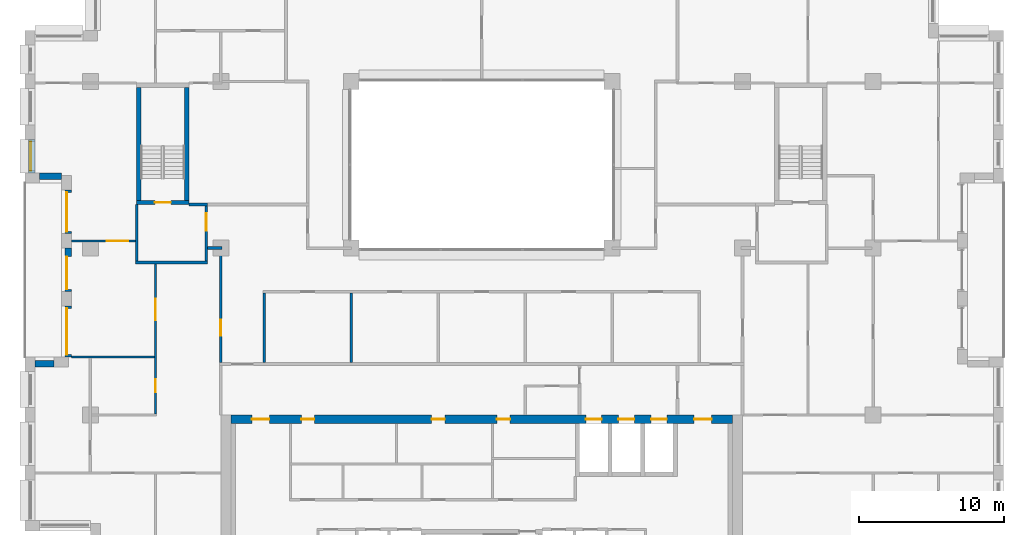
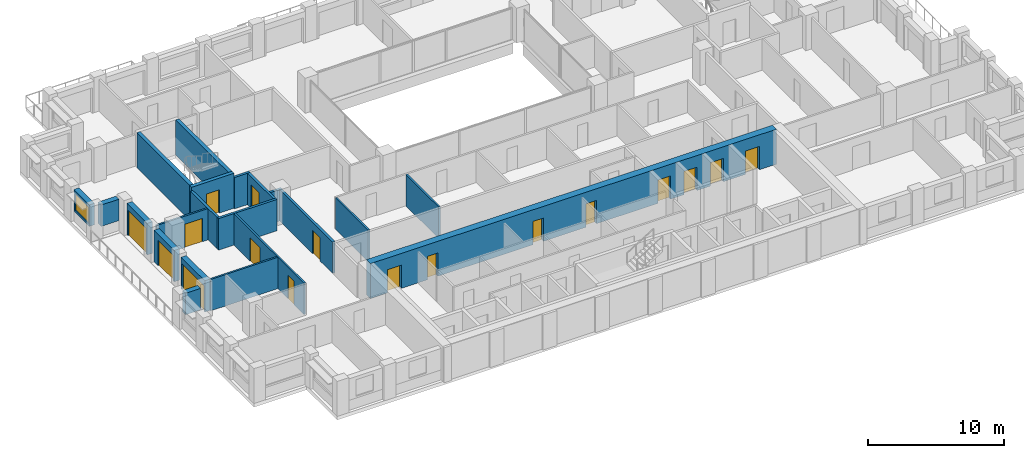
# One storey, part 9 of 16: 21 walls, 17 doors, 1 window, 18 openings.
"""IFC4 building model written with IfcOpenShell, lengths in metres."""

from ifc_helpers import new_model, si_unit, direction, frame, frame_2d, origin, place, context, subcontext, project, spatial, rectangle, extrude, material, layer, layer_set, type_object, element, fill, save


model = new_model("IFC4")

# Units and contexts
model_context = context("Model", 3, precision=1e-05, world=origin(), true_north=direction((0.0, 1.0)))
body_context = subcontext(model_context, "Body", "Model", "MODEL_VIEW")
ifc_project = project(units=[si_unit("LENGTHUNIT", "METRE"), si_unit("AREAUNIT", "SQUARE_METRE"), si_unit("VOLUMEUNIT", "CUBIC_METRE"), si_unit("PLANEANGLEUNIT", "RADIAN"), si_unit("MASSUNIT", "GRAM", prefix="KILO")], contexts=[model_context])

# Site, building, storey
site_placement = place(None, origin())
site = spatial("IfcSite", under=ifc_project, at=site_placement, CompositionType="ELEMENT")
building_placement = place(site_placement, origin())
building = spatial("IfcBuilding", under=site, at=building_placement, Name="Brigalow Station Residences", CompositionType="ELEMENT")
storey_placement = place(building_placement, frame((0.0, 0.0, 163.35009765625)))
storey = spatial("IfcBuildingStorey", under=building, at=storey_placement, Name="L47", CompositionType="ELEMENT", Elevation=163.35009765625)

# Wall, opening, window
ifc_material_1 = material(Name="Clay brick masonry", Category="masonry")
ifc_layer_1 = layer(ifc_material_1, 0.449951171875)
ifc_layer_set_1 = layer_set([ifc_layer_1], Name="BRICK INFILL WALL 450")
wall_type_1 = type_object("IfcWallType", Name="BRICK INFILL WALL 450", PredefinedType="SOLIDWALL", material=ifc_layer_set_1)
wall_1_placement = place(storey_placement, frame((4.97509765625, 31.5, 0.89990234375), z_axis=(0.0, 0.0, 1.0), x_axis=(0.0, -1.0, 0.0)))
wall_1 = element("IfcWall", 1, at=wall_1_placement, inside=storey, type_object=wall_type_1, Name="L47/ewall/W-L47-39", PredefinedType="SOLIDWALL", context=body_context, shape_type="SweptSolid", body=[
    extrude(rectangle(XDim=2.300048828125, YDim=0.449951171875, at=frame_2d((1.14990234375, 0.0))), origin(), (0.0, 0.0, 1.0), 1.929931640625),
])
opening_1_placement = place(wall_1_placement, frame((0.14990234375, 0.0, 0.14990234375)))
opening_1 = element("IfcOpeningElement", 2, at=opening_1_placement, cuts=wall_1, Name="Opening WT-7", PredefinedType="OPENING", context=body_context, shape_type="SweptSolid", body=[
    extrude(rectangle(XDim=2.0, YDim=1.5, at=frame_2d((1.0, 0.75))), frame((0.0, 0.23486328125, 0.0), z_axis=(0.0, -1.0, 0.0), x_axis=(1.0, 0.0, 0.0)), (0.0, 0.0, 1.0), 0.469970703125),
])
ifc_material_2 = material(Name="Anodised aluminium frame with double glazing", Category="aluminium")
window_type = type_object("IfcWindowType", Name="WINDOW 2000x1500", PartitioningType="SINGLE_PANEL", PredefinedType="WINDOW", material=ifc_material_2)
window_placement = place(opening_1_placement, origin())
window = element("IfcWindow", 3, at=window_placement, inside=storey, type_object=window_type, Name="L47/window/W-L47-39", OverallHeight=1.5, OverallWidth=2.0, PartitioningType="SINGLE_PANEL", PredefinedType="WINDOW", context=body_context, shape_type="SweptSolid", body=[
    extrude(rectangle(XDim=2.0, YDim=1.5, at=frame_2d((1.0, 0.75))), frame((0.0, -0.06494140625, 0.0), z_axis=(0.0, -1.0, 0.0), x_axis=(1.0, 0.0, 0.0)), (0.0, 0.0, 1.0), 0.06005859375),
])
fill(opening_1, window)

# Wall
wall_2_placement = place(storey_placement, frame((5.5, 28.97509765625, 0.89990234375), z_axis=(0.0, 0.0, 1.0), x_axis=(1.0, 0.0, 0.0)))
element("IfcWall", 4, at=wall_2_placement, inside=storey, type_object=wall_type_1, Name="L47/ewall/W-L47-40", PredefinedType="SOLIDWALL", context=body_context, shape_type="SweptSolid", body=[
    extrude(rectangle(XDim=1.5, YDim=0.449951171875, at=frame_2d((0.75, 0.0))), origin(), (0.0, 0.0, 1.0), 1.929931640625),
])

# Wall, opening, door
wall_3_placement = place(storey_placement, frame((7.47509765625, 28.0, 0.0), z_axis=(0.0, 0.0, 1.0), x_axis=(0.0, -1.0, 0.0)))
wall_3 = element("IfcWall", 5, at=wall_3_placement, inside=storey, type_object=wall_type_1, Name="L47/ewall/W-L47-41", PredefinedType="SOLIDWALL", context=body_context, shape_type="SweptSolid", body=[
    extrude(rectangle(XDim=3.0, YDim=0.449951171875, at=frame_2d((1.5, 0.0))), origin(), (0.0, 0.0, 1.0), 2.829833984375),
])
opening_2_placement = place(wall_3_placement, frame((0.14990234375, 0.0, 0.0)))
opening_2 = element("IfcOpeningElement", 6, at=opening_2_placement, cuts=wall_3, Name="Opening D-B2700", PredefinedType="OPENING", context=body_context, shape_type="SweptSolid", body=[
    extrude(rectangle(XDim=2.699951171875, YDim=2.300048828125, at=frame_2d((1.35009765625, 1.14990234375))), frame((0.0, 0.23486328125, 0.0), z_axis=(0.0, -1.0, 0.0), x_axis=(1.0, 0.0, 0.0)), (0.0, 0.0, 1.0), 0.469970703125),
])
ifc_material_3 = material(Name="Anodised aluminium frame with double glazing", Category="aluminium")
door_type_1 = type_object("IfcDoorType", Name="BALCONY SLIDING DOOR 2700x2300", OperationType="SLIDING_TO_LEFT", PredefinedType="DOOR", material=ifc_material_3)
door_1_placement = place(opening_2_placement, origin())
door_1 = element("IfcDoor", 7, at=door_1_placement, inside=storey, type_object=door_type_1, Name="L47/balcony-door/W-L47-41", OperationType="SLIDING_TO_LEFT", OverallHeight=2.300048828125, OverallWidth=2.699951171875, PredefinedType="DOOR", context=body_context, shape_type="SweptSolid", body=[
    extrude(rectangle(XDim=2.699951171875, YDim=2.300048828125, at=frame_2d((1.35009765625, 1.14990234375))), frame((0.0, -0.06982421875, 0.0), z_axis=(0.0, -1.0, 0.0), x_axis=(1.0, 0.0, 0.0)), (0.0, 0.0, 1.0), 0.050048828125),
])
fill(opening_2, door_1)

wall_4_placement = place(storey_placement, frame((7.47509765625, 24.0, 0.0), z_axis=(0.0, 0.0, 1.0), x_axis=(0.0, -1.0, 0.0)))
wall_4 = element("IfcWall", 8, at=wall_4_placement, inside=storey, type_object=wall_type_1, Name="L47/ewall/W-L47-42", PredefinedType="SOLIDWALL", context=body_context, shape_type="SweptSolid", body=[
    extrude(rectangle(XDim=3.0, YDim=0.449951171875, at=frame_2d((1.5, 0.0))), origin(), (0.0, 0.0, 1.0), 2.829833984375),
])
opening_3_placement = place(wall_4_placement, frame((0.5849609375, 0.0, 0.0)))
opening_3 = element("IfcOpeningElement", 9, at=opening_3_placement, cuts=wall_4, Name="Opening D-B2250", PredefinedType="OPENING", context=body_context, shape_type="SweptSolid", body=[
    extrude(rectangle(XDim=2.25, YDim=2.300048828125, at=frame_2d((1.125, 1.14990234375))), frame((0.0, 0.23486328125, 0.0), z_axis=(0.0, -1.0, 0.0), x_axis=(1.0, 0.0, 0.0)), (0.0, 0.0, 1.0), 0.469970703125),
])
ifc_material_4 = material(Name="Anodised aluminium frame with double glazing", Category="aluminium")
door_type_2 = type_object("IfcDoorType", Name="BALCONY SLIDING DOOR 2250x2300", OperationType="SLIDING_TO_LEFT", PredefinedType="DOOR", material=ifc_material_4)
door_2_placement = place(opening_3_placement, origin())
door_2 = element("IfcDoor", 10, at=door_2_placement, inside=storey, type_object=door_type_2, Name="L47/balcony-door/W-L47-42", OperationType="SLIDING_TO_LEFT", OverallHeight=2.300048828125, OverallWidth=2.25, PredefinedType="DOOR", context=body_context, shape_type="SweptSolid", body=[
    extrude(rectangle(XDim=2.25, YDim=2.300048828125, at=frame_2d((1.125, 1.14990234375))), frame((0.0, -0.06982421875, 0.0), z_axis=(0.0, -1.0, 0.0), x_axis=(1.0, 0.0, 0.0)), (0.0, 0.0, 1.0), 0.050048828125),
])
fill(opening_3, door_2)

wall_5_placement = place(storey_placement, frame((7.47509765625, 20.0, 0.0), z_axis=(0.0, 0.0, 1.0), x_axis=(0.0, -1.0, 0.0)))
wall_5 = element("IfcWall", 11, at=wall_5_placement, inside=storey, type_object=wall_type_1, Name="L47/ewall/W-L47-43", PredefinedType="SOLIDWALL", context=body_context, shape_type="SweptSolid", body=[
    extrude(rectangle(XDim=3.5, YDim=0.449951171875, at=frame_2d((1.75, 0.0))), origin(), (0.0, 0.0, 1.0), 2.829833984375),
])
opening_4_placement = place(wall_5_placement, frame((0.14990234375, 0.0, 0.0)))
opening_4 = element("IfcOpeningElement", 12, at=opening_4_placement, cuts=wall_5, Name="Opening D-B3200", PredefinedType="OPENING", context=body_context, shape_type="SweptSolid", body=[
    extrude(rectangle(XDim=3.199951171875, YDim=2.300048828125, at=frame_2d((1.60009765625, 1.14990234375))), frame((0.0, 0.23486328125, 0.0), z_axis=(0.0, -1.0, 0.0), x_axis=(1.0, 0.0, 0.0)), (0.0, 0.0, 1.0), 0.469970703125),
])
ifc_material_5 = material(Name="Anodised aluminium frame with double glazing", Category="aluminium")
door_type_3 = type_object("IfcDoorType", Name="BALCONY SLIDING DOOR 3200x2300", OperationType="SLIDING_TO_LEFT", PredefinedType="DOOR", material=ifc_material_5)
door_3_placement = place(opening_4_placement, origin())
door_3 = element("IfcDoor", 13, at=door_3_placement, inside=storey, type_object=door_type_3, Name="L47/balcony-door/W-L47-43", OperationType="SLIDING_TO_LEFT", OverallHeight=2.300048828125, OverallWidth=3.199951171875, PredefinedType="DOOR", context=body_context, shape_type="SweptSolid", body=[
    extrude(rectangle(XDim=3.199951171875, YDim=2.300048828125, at=frame_2d((1.60009765625, 1.14990234375))), frame((0.0, -0.06982421875, 0.0), z_axis=(0.0, -1.0, 0.0), x_axis=(1.0, 0.0, 0.0)), (0.0, 0.0, 1.0), 0.050048828125),
])
fill(opening_4, door_3)

# Wall
wall_6_placement = place(storey_placement, frame((6.5, 16.02490234375, 0.89990234375), z_axis=(0.0, 0.0, 1.0), x_axis=(-1.0, 0.0, 0.0)))
element("IfcWall", 14, at=wall_6_placement, inside=storey, type_object=wall_type_1, Name="L47/ewall/W-L47-44", PredefinedType="SOLIDWALL", context=body_context, shape_type="SweptSolid", body=[
    extrude(rectangle(XDim=1.300048828125, YDim=0.449951171875, at=frame_2d((0.64990234375, 0.0))), origin(), (0.0, 0.0, 1.0), 1.929931640625),
])

# Wall, opening, door
ifc_material_6 = material(Name="Concrete C65", Category="concrete")
ifc_layer_2 = layer(ifc_material_6, 0.300048828125)
ifc_layer_set_2 = layer_set([ifc_layer_2], Name="CORE SHEAR WALL 300 C65")
wall_type_2 = type_object("IfcWallType", Name="CORE SHEAR WALL 300 C65", PredefinedType="SHEAR", material=ifc_layer_set_2)
wall_7_placement = place(storey_placement, frame((12.199951171875, 27.14990234375, 0.0), z_axis=(0.0, 0.0, 1.0), x_axis=(1.0, 0.0, 0.0)))
wall_7 = element("IfcWall", 15, at=wall_7_placement, inside=storey, type_object=wall_type_2, Name="CORE WALL ST-S1-S L47", PredefinedType="SHEAR", context=body_context, shape_type="SweptSolid", body=[
    extrude(rectangle(XDim=3.60009765625, YDim=0.300048828125, at=frame_2d((1.800048828125, 0.0))), origin(), (0.0, 0.0, 1.0), 3.14990234375),
])
opening_5_placement = place(wall_7_placement, frame((1.25, 0.0, 0.0)))
opening_5 = element("IfcOpeningElement", 16, at=opening_5_placement, cuts=wall_7, Name="Opening D-5015", PredefinedType="OPENING", context=body_context, shape_type="SweptSolid", body=[
    extrude(rectangle(XDim=1.10009765625, YDim=2.10009765625, at=frame_2d((0.550048828125, 1.050048828125))), frame((0.0, 0.16015625, 0.0), z_axis=(0.0, -1.0, 0.0), x_axis=(1.0, 0.0, 0.0)), (0.0, 0.0, 1.0), 0.320068359375),
])
ifc_material_7 = material(Name="Steel fire door leaf in steel frame", Category="steel")
door_type_4 = type_object("IfcDoorType", Name="STAIR DOOR 1100 x 2100 FD60S", OperationType="SINGLE_SWING_LEFT", PredefinedType="DOOR", material=ifc_material_7)
door_4_placement = place(opening_5_placement, origin())
door_4 = element("IfcDoor", 17, at=door_4_placement, inside=storey, type_object=door_type_4, Name="D-5015", OperationType="SINGLE_SWING_LEFT", OverallHeight=2.10009765625, OverallWidth=1.10009765625, PredefinedType="DOOR", context=body_context, shape_type="SweptSolid", body=[
    extrude(rectangle(XDim=1.10009765625, YDim=2.10009765625, at=frame_2d((0.550048828125, 1.050048828125))), frame((0.0, 0.02490234375, 0.0), z_axis=(0.0, -1.0, 0.0), x_axis=(1.0, 0.0, 0.0)), (0.0, 0.0, 1.0), 0.050048828125),
])
fill(opening_5, door_4)

# Walls
for number, where, z_axis, x_axis, name in (
    (18, (12.35009765625, 27.300048828125, 0.0), (0.0, 0.0, 1.0), (0.0, 1.0, 0.0), "CORE WALL ST-S1-W L47"),
    (19, (15.64990234375, 27.300048828125, 0.0), (0.0, 0.0, 1.0), (0.0, 1.0, 0.0), "CORE WALL ST-S1-E L47"),
):
    element("IfcWall", number, at=place(storey_placement, frame(where, z_axis=z_axis, x_axis=x_axis)), inside=storey, type_object=wall_type_2, Name=name, PredefinedType="SHEAR", context=body_context, shape_type="SweptSolid", body=[
        extrude(rectangle(XDim=7.800048828125, YDim=0.300048828125, at=frame_2d((3.89990234375, 0.0))), origin(), (0.0, 0.0, 1.0), 3.14990234375),
    ])

# Wall, openings, doors
ifc_material_8 = material(Name="Concrete C65", Category="concrete")
ifc_layer_3 = layer(ifc_material_8, 0.60009765625)
ifc_layer_set_3 = layer_set([ifc_layer_3], Name="CORE SHEAR WALL 600 C65")
wall_type_3 = type_object("IfcWallType", Name="CORE SHEAR WALL 600 C65", PredefinedType="SHEAR", material=ifc_layer_set_3)
wall_8_placement = place(storey_placement, frame((18.699951171875, 12.199951171875, 0.0), z_axis=(0.0, 0.0, 1.0), x_axis=(1.0, 0.0, 0.0)))
wall_8 = element("IfcWall", 20, at=wall_8_placement, inside=storey, type_object=wall_type_3, Name="CORE WALL OUT-N L47", PredefinedType="SHEAR", context=body_context, shape_type="SweptSolid", body=[
    extrude(rectangle(XDim=34.60009765625, YDim=0.60009765625, at=frame_2d((17.300048828125, 0.0))), origin(), (0.0, 0.0, 1.0), 3.14990234375),
])
opening_6_placement = place(wall_8_placement, frame((24.47509765625, 0.0, 0.0)))
opening_6 = element("IfcOpeningElement", 21, at=opening_6_placement, cuts=wall_8, Name="Opening LD-LF1", PredefinedType="OPENING", context=body_context, shape_type="SweptSolid", body=[
    extrude(rectangle(XDim=1.10009765625, YDim=2.10009765625, at=frame_2d((0.550048828125, 1.050048828125))), frame((0.0, 0.31005859375, 0.0), z_axis=(0.0, -1.0, 0.0), x_axis=(1.0, 0.0, 0.0)), (0.0, 0.0, 1.0), 0.6201171875),
])
opening_7_placement = place(wall_8_placement, frame((26.72509765625, 0.0, 0.0)))
opening_7 = element("IfcOpeningElement", 22, at=opening_7_placement, cuts=wall_8, Name="Opening LD-LF2", PredefinedType="OPENING", context=body_context, shape_type="SweptSolid", body=[
    extrude(rectangle(XDim=1.10009765625, YDim=2.10009765625, at=frame_2d((0.550048828125, 1.050048828125))), frame((0.0, 0.31005859375, 0.0), z_axis=(0.0, -1.0, 0.0), x_axis=(1.0, 0.0, 0.0)), (0.0, 0.0, 1.0), 0.6201171875),
])
opening_8_placement = place(wall_8_placement, frame((28.97509765625, 0.0, 0.0)))
opening_8 = element("IfcOpeningElement", 23, at=opening_8_placement, cuts=wall_8, Name="Opening LD-LG1", PredefinedType="OPENING", context=body_context, shape_type="SweptSolid", body=[
    extrude(rectangle(XDim=1.10009765625, YDim=2.10009765625, at=frame_2d((0.550048828125, 1.050048828125))), frame((0.0, 0.31005859375, 0.0), z_axis=(0.0, -1.0, 0.0), x_axis=(1.0, 0.0, 0.0)), (0.0, 0.0, 1.0), 0.6201171875),
])
opening_9_placement = place(wall_8_placement, frame((4.85009765625, 0.0, 0.0)))
opening_9 = element("IfcOpeningElement", 24, at=opening_9_placement, cuts=wall_8, Name="Opening D-5118", PredefinedType="OPENING", context=body_context, shape_type="SweptSolid", body=[
    extrude(rectangle(XDim=0.89990234375, YDim=2.10009765625, at=frame_2d((0.449951171875, 1.050048828125))), frame((0.0, 0.31005859375, 0.0), z_axis=(0.0, -1.0, 0.0), x_axis=(1.0, 0.0, 0.0)), (0.0, 0.0, 1.0), 0.6201171875),
])
opening_10_placement = place(wall_8_placement, frame((13.85009765625, 0.0, 0.0)))
opening_10 = element("IfcOpeningElement", 25, at=opening_10_placement, cuts=wall_8, Name="Opening D-5120", PredefinedType="OPENING", context=body_context, shape_type="SweptSolid", body=[
    extrude(rectangle(XDim=0.89990234375, YDim=2.10009765625, at=frame_2d((0.449951171875, 1.050048828125))), frame((0.0, 0.31005859375, 0.0), z_axis=(0.0, -1.0, 0.0), x_axis=(1.0, 0.0, 0.0)), (0.0, 0.0, 1.0), 0.6201171875),
])
opening_11_placement = place(wall_8_placement, frame((18.35009765625, 0.0, 0.0)))
opening_11 = element("IfcOpeningElement", 26, at=opening_11_placement, cuts=wall_8, Name="Opening D-5119", PredefinedType="OPENING", context=body_context, shape_type="SweptSolid", body=[
    extrude(rectangle(XDim=0.89990234375, YDim=2.10009765625, at=frame_2d((0.449951171875, 1.050048828125))), frame((0.0, 0.31005859375, 0.0), z_axis=(0.0, -1.0, 0.0), x_axis=(1.0, 0.0, 0.0)), (0.0, 0.0, 1.0), 0.6201171875),
])
opening_12_placement = place(wall_8_placement, frame((1.449951171875, 0.0, 0.0)))
opening_12 = element("IfcOpeningElement", 27, at=opening_12_placement, cuts=wall_8, Name="Opening D-5011", PredefinedType="OPENING", context=body_context, shape_type="SweptSolid", body=[
    extrude(rectangle(XDim=1.199951171875, YDim=2.10009765625, at=frame_2d((0.60009765625, 1.050048828125))), frame((0.0, 0.31005859375, 0.0), z_axis=(0.0, -1.0, 0.0), x_axis=(1.0, 0.0, 0.0)), (0.0, 0.0, 1.0), 0.6201171875),
])
opening_13_placement = place(wall_8_placement, frame((31.949951171875, 0.0, 0.0)))
opening_13 = element("IfcOpeningElement", 28, at=opening_13_placement, cuts=wall_8, Name="Opening D-5012", PredefinedType="OPENING", context=body_context, shape_type="SweptSolid", body=[
    extrude(rectangle(XDim=1.199951171875, YDim=2.10009765625, at=frame_2d((0.60009765625, 1.050048828125))), frame((0.0, 0.31005859375, 0.0), z_axis=(0.0, -1.0, 0.0), x_axis=(1.0, 0.0, 0.0)), (0.0, 0.0, 1.0), 0.6201171875),
])
ifc_material_9 = material(Name="Steel fire door leaf in steel frame", Category="steel")
door_type_5 = type_object("IfcDoorType", Name="CORE CORRIDOR DOOR 1200 x 2100 FD60S", OperationType="SINGLE_SWING_LEFT", PredefinedType="DOOR", material=ifc_material_9)
door_5_placement = place(opening_12_placement, frame((1.199951171875, 0.0, 0.0), z_axis=(0.0, 0.0, 1.0), x_axis=(-1.0, 0.0, 0.0)))
door_5 = element("IfcDoor", 29, at=door_5_placement, inside=storey, type_object=door_type_5, Name="D-5011", OperationType="SINGLE_SWING_LEFT", OverallHeight=2.10009765625, OverallWidth=1.199951171875, PredefinedType="DOOR", context=body_context, shape_type="SweptSolid", body=[
    extrude(rectangle(XDim=1.199951171875, YDim=2.10009765625, at=frame_2d((0.60009765625, 1.050048828125))), frame((0.0, 0.02490234375, 0.0), z_axis=(0.0, -1.0, 0.0), x_axis=(1.0, 0.0, 0.0)), (0.0, 0.0, 1.0), 0.050048828125),
])
fill(opening_12, door_5)
door_6_placement = place(opening_13_placement, frame((1.199951171875, 0.0, 0.0), z_axis=(0.0, 0.0, 1.0), x_axis=(-1.0, 0.0, 0.0)))
door_6 = element("IfcDoor", 30, at=door_6_placement, inside=storey, type_object=door_type_5, Name="D-5012", OperationType="SINGLE_SWING_RIGHT", OverallHeight=2.10009765625, OverallWidth=1.199951171875, PredefinedType="DOOR", context=body_context, shape_type="SweptSolid", body=[
    extrude(rectangle(XDim=1.199951171875, YDim=2.10009765625, at=frame_2d((0.60009765625, 1.050048828125))), frame((0.0, 0.02490234375, 0.0), z_axis=(0.0, -1.0, 0.0), x_axis=(1.0, 0.0, 0.0)), (0.0, 0.0, 1.0), 0.050048828125),
])
fill(opening_13, door_6)
ifc_material_10 = material(Name="Stainless steel sliding door leaves", Category="steel")
door_type_6 = type_object("IfcDoorType", Name="LIFT LANDING DOOR 1100 x 2100", OperationType="DOUBLE_DOOR_SLIDING", PredefinedType="DOOR", material=ifc_material_10)
door_7_placement = place(opening_6_placement, origin())
door_7 = element("IfcDoor", 31, at=door_7_placement, inside=storey, type_object=door_type_6, Name="LANDING DOOR LF1", OperationType="DOUBLE_DOOR_SLIDING", OverallHeight=2.10009765625, OverallWidth=1.10009765625, PredefinedType="DOOR", context=body_context, shape_type="SweptSolid", body=[
    extrude(rectangle(XDim=1.10009765625, YDim=2.10009765625, at=frame_2d((0.550048828125, 1.050048828125))), frame((0.0, 0.02490234375, 0.0), z_axis=(0.0, -1.0, 0.0), x_axis=(1.0, 0.0, 0.0)), (0.0, 0.0, 1.0), 0.050048828125),
])
fill(opening_6, door_7)
door_8_placement = place(opening_7_placement, origin())
door_8 = element("IfcDoor", 32, at=door_8_placement, inside=storey, type_object=door_type_6, Name="LANDING DOOR LF2", OperationType="DOUBLE_DOOR_SLIDING", OverallHeight=2.10009765625, OverallWidth=1.10009765625, PredefinedType="DOOR", context=body_context, shape_type="SweptSolid", body=[
    extrude(rectangle(XDim=1.10009765625, YDim=2.10009765625, at=frame_2d((0.550048828125, 1.050048828125))), frame((0.0, 0.02490234375, 0.0), z_axis=(0.0, -1.0, 0.0), x_axis=(1.0, 0.0, 0.0)), (0.0, 0.0, 1.0), 0.050048828125),
])
fill(opening_7, door_8)
door_9_placement = place(opening_8_placement, origin())
door_9 = element("IfcDoor", 33, at=door_9_placement, inside=storey, type_object=door_type_6, Name="LANDING DOOR LG1", OperationType="DOUBLE_DOOR_SLIDING", OverallHeight=2.10009765625, OverallWidth=1.10009765625, PredefinedType="DOOR", context=body_context, shape_type="SweptSolid", body=[
    extrude(rectangle(XDim=1.10009765625, YDim=2.10009765625, at=frame_2d((0.550048828125, 1.050048828125))), frame((0.0, 0.02490234375, 0.0), z_axis=(0.0, -1.0, 0.0), x_axis=(1.0, 0.0, 0.0)), (0.0, 0.0, 1.0), 0.050048828125),
])
fill(opening_8, door_9)
ifc_material_11 = material(Name="Steel door leaf in steel frame", Category="steel")
door_type_7 = type_object("IfcDoorType", Name="SERVICE ROOM DOOR 900 x 2100 FD60", OperationType="SINGLE_SWING_LEFT", PredefinedType="DOOR", material=ifc_material_11)
door_10_placement = place(opening_9_placement, frame((0.89990234375, 0.0, 0.0), z_axis=(0.0, 0.0, 1.0), x_axis=(-1.0, 0.0, 0.0)))
door_10 = element("IfcDoor", 34, at=door_10_placement, inside=storey, type_object=door_type_7, Name="D-5118", OperationType="SINGLE_SWING_RIGHT", OverallHeight=2.10009765625, OverallWidth=0.89990234375, PredefinedType="DOOR", context=body_context, shape_type="SweptSolid", body=[
    extrude(rectangle(XDim=0.89990234375, YDim=2.10009765625, at=frame_2d((0.449951171875, 1.050048828125))), frame((0.0, 0.02490234375, 0.0), z_axis=(0.0, -1.0, 0.0), x_axis=(1.0, 0.0, 0.0)), (0.0, 0.0, 1.0), 0.050048828125),
])
fill(opening_9, door_10)
door_11_placement = place(opening_10_placement, frame((0.89990234375, 0.0, 0.0), z_axis=(0.0, 0.0, 1.0), x_axis=(-1.0, 0.0, 0.0)))
door_11 = element("IfcDoor", 35, at=door_11_placement, inside=storey, type_object=door_type_7, Name="D-5120", OperationType="SINGLE_SWING_RIGHT", OverallHeight=2.10009765625, OverallWidth=0.89990234375, PredefinedType="DOOR", context=body_context, shape_type="SweptSolid", body=[
    extrude(rectangle(XDim=0.89990234375, YDim=2.10009765625, at=frame_2d((0.449951171875, 1.050048828125))), frame((0.0, 0.02490234375, 0.0), z_axis=(0.0, -1.0, 0.0), x_axis=(1.0, 0.0, 0.0)), (0.0, 0.0, 1.0), 0.050048828125),
])
fill(opening_10, door_11)
door_12_placement = place(opening_11_placement, frame((0.89990234375, 0.0, 0.0), z_axis=(0.0, 0.0, 1.0), x_axis=(-1.0, 0.0, 0.0)))
door_12 = element("IfcDoor", 36, at=door_12_placement, inside=storey, type_object=door_type_7, Name="D-5119", OperationType="SINGLE_SWING_RIGHT", OverallHeight=2.10009765625, OverallWidth=0.89990234375, PredefinedType="DOOR", context=body_context, shape_type="SweptSolid", body=[
    extrude(rectangle(XDim=0.89990234375, YDim=2.10009765625, at=frame_2d((0.449951171875, 1.050048828125))), frame((0.0, 0.02490234375, 0.0), z_axis=(0.0, -1.0, 0.0), x_axis=(1.0, 0.0, 0.0)), (0.0, 0.0, 1.0), 0.050048828125),
])
fill(opening_11, door_12)

# Walls
ifc_material_12 = material(Name="Concrete blockwork", Category="masonry")
ifc_layer_4 = layer(ifc_material_12, 0.199951171875)
ifc_layer_set_4 = layer_set([ifc_layer_4], Name="FIRE RATED CORE PARTITION 200")
wall_type_4 = type_object("IfcWallType", Name="FIRE RATED CORE PARTITION 200", PredefinedType="PARTITIONING", material=ifc_layer_set_4)
wall_9_placement = place(storey_placement, frame((12.10009765625, 23.0, 0.0), z_axis=(0.0, 0.0, 1.0), x_axis=(1.0, 0.0, 0.0)))
element("IfcWall", 37, at=wall_9_placement, inside=storey, type_object=wall_type_4, Name="PW-5023", PredefinedType="PARTITIONING", context=body_context, shape_type="SweptSolid", body=[
    extrude(rectangle(XDim=5.0, YDim=0.199951171875, at=frame_2d((2.5, 0.0))), origin(), (0.0, 0.0, 1.0), 2.829833984375),
])
wall_10_placement = place(storey_placement, frame((15.800048828125, 27.0, 0.0), z_axis=(0.0, 0.0, 1.0), x_axis=(1.0, 0.0, 0.0)))
element("IfcWall", 38, at=wall_10_placement, inside=storey, type_object=wall_type_4, Name="PW-5025", PredefinedType="PARTITIONING", context=body_context, shape_type="SweptSolid", body=[
    extrude(rectangle(XDim=1.300048828125, YDim=0.199951171875, at=frame_2d((0.64990234375, 0.0))), origin(), (0.0, 0.0, 1.0), 2.829833984375),
])
wall_11_placement = place(storey_placement, frame((12.199951171875, 23.10009765625, 0.0), z_axis=(0.0, 0.0, 1.0), x_axis=(0.0, 1.0, 0.0)))
element("IfcWall", 39, at=wall_11_placement, inside=storey, type_object=wall_type_4, Name="PW-5034", PredefinedType="PARTITIONING", context=body_context, shape_type="SweptSolid", body=[
    extrude(rectangle(XDim=3.89990234375, YDim=0.199951171875, at=frame_2d((1.949951171875, 0.0))), origin(), (0.0, 0.0, 1.0), 2.829833984375),
])

# Wall, opening, door
wall_12_placement = place(storey_placement, frame((17.0, 23.10009765625, 0.0), z_axis=(0.0, 0.0, 1.0), x_axis=(0.0, 1.0, 0.0)))
wall_12 = element("IfcWall", 40, at=wall_12_placement, inside=storey, type_object=wall_type_4, Name="PW-5035", PredefinedType="PARTITIONING", context=body_context, shape_type="SweptSolid", body=[
    extrude(rectangle(XDim=3.7998046875, YDim=0.199951171875, at=frame_2d((1.89990234375, 0.0))), origin(), (0.0, 0.0, 1.0), 2.829833984375),
])
opening_14_placement = place(wall_12_placement, frame((2.10009765625, 0.0, 0.0)))
opening_14 = element("IfcOpeningElement", 41, at=opening_14_placement, cuts=wall_12, Name="Opening D-5016", PredefinedType="OPENING", context=body_context, shape_type="SweptSolid", body=[
    extrude(rectangle(XDim=1.199951171875, YDim=2.10009765625, at=frame_2d((0.60009765625, 1.050048828125))), frame((0.0, 0.10986328125, 0.0), z_axis=(0.0, -1.0, 0.0), x_axis=(1.0, 0.0, 0.0)), (0.0, 0.0, 1.0), 0.219970703125),
])
ifc_material_13 = material(Name="Steel fire door leaf in steel frame", Category="steel")
door_type_8 = type_object("IfcDoorType", Name="STAIR LOBBY DOOR 1200 x 2100 FD60S", OperationType="SINGLE_SWING_LEFT", PredefinedType="DOOR", material=ifc_material_13)
door_13_placement = place(opening_14_placement, origin())
door_13 = element("IfcDoor", 42, at=door_13_placement, inside=storey, type_object=door_type_8, Name="D-5016", OperationType="SINGLE_SWING_RIGHT", OverallHeight=2.10009765625, OverallWidth=1.199951171875, PredefinedType="DOOR", context=body_context, shape_type="SweptSolid", body=[
    extrude(rectangle(XDim=1.199951171875, YDim=2.10009765625, at=frame_2d((0.60009765625, 1.050048828125))), frame((0.0, 0.02490234375, 0.0), z_axis=(0.0, -1.0, 0.0), x_axis=(1.0, 0.0, 0.0)), (0.0, 0.0, 1.0), 0.050048828125),
])
fill(opening_14, door_13)

# Wall
ifc_material_14 = material(Name="Plasterboard on steel stud partition", Category="steel")
ifc_layer_5 = layer(ifc_material_14, 0.14990234375)
ifc_layer_set_5 = layer_set([ifc_layer_5], Name="FLAT PARTITION 150")
wall_type_5 = type_object("IfcWallType", Name="FLAT PARTITION 150", PredefinedType="PARTITIONING", material=ifc_layer_set_5)
wall_13_placement = place(storey_placement, frame((7.699951171875, 16.5, 0.0), z_axis=(0.0, 0.0, 1.0), x_axis=(1.0, 0.0, 0.0)))
element("IfcWall", 43, at=wall_13_placement, inside=storey, type_object=wall_type_5, Name="PW-3C11", PredefinedType="PARTITIONING", context=body_context, shape_type="SweptSolid", body=[
    extrude(rectangle(XDim=5.72509765625, YDim=0.14990234375, at=frame_2d((2.862548828125, 0.0))), origin(), (0.0, 0.0, 1.0), 2.829833984375),
])

# Wall, opening, door
wall_14_placement = place(storey_placement, frame((7.699951171875, 24.5, 0.0), z_axis=(0.0, 0.0, 1.0), x_axis=(1.0, 0.0, 0.0)))
wall_14 = element("IfcWall", 44, at=wall_14_placement, inside=storey, type_object=wall_type_5, Name="PW-3C14", PredefinedType="PARTITIONING", context=body_context, shape_type="SweptSolid", body=[
    extrude(rectangle(XDim=4.400146484375, YDim=0.14990234375, at=frame_2d((2.2001953125, 0.0))), origin(), (0.0, 0.0, 1.0), 2.829833984375),
])
opening_15_placement = place(wall_14_placement, frame((2.425048828125, 0.0, 0.0)))
opening_15 = element("IfcOpeningElement", 45, at=opening_15_placement, cuts=wall_14, Name="Opening D-3C09", PredefinedType="OPENING", context=body_context, shape_type="SweptSolid", body=[
    extrude(rectangle(XDim=1.5, YDim=2.10009765625, at=frame_2d((0.75, 1.050048828125))), frame((0.0, 0.0849609375, 0.0), z_axis=(0.0, -1.0, 0.0), x_axis=(1.0, 0.0, 0.0)), (0.0, 0.0, 1.0), 0.169921875),
])
ifc_material_15 = material(Name="Solid-core timber door leaf", Category="wood")
door_type_9 = type_object("IfcDoorType", Name="INTERNAL DOUBLE DOOR 1500 x 2100", OperationType="DOUBLE_DOOR_SINGLE_SWING", PredefinedType="DOOR", material=ifc_material_15)
door_14_placement = place(opening_15_placement, frame((1.5, 0.0, 0.0), z_axis=(0.0, 0.0, 1.0), x_axis=(-1.0, 0.0, 0.0)))
door_14 = element("IfcDoor", 46, at=door_14_placement, inside=storey, type_object=door_type_9, Name="D-3C09", OperationType="DOUBLE_DOOR_SINGLE_SWING", OverallHeight=2.10009765625, OverallWidth=1.5, PredefinedType="DOOR", context=body_context, shape_type="SweptSolid", body=[
    extrude(rectangle(XDim=1.5, YDim=2.10009765625, at=frame_2d((0.75, 1.050048828125))), frame((0.0, 0.02490234375, 0.0), z_axis=(0.0, -1.0, 0.0), x_axis=(1.0, 0.0, 0.0)), (0.0, 0.0, 1.0), 0.050048828125),
])
fill(opening_15, door_14)

# Wall
wall_15_placement = place(storey_placement, frame((21.0, 16.10009765625, 0.0), z_axis=(0.0, 0.0, 1.0), x_axis=(0.0, 1.0, 0.0)))
element("IfcWall", 47, at=wall_15_placement, inside=storey, type_object=wall_type_5, Name="PW-3C30", PredefinedType="PARTITIONING", context=body_context, shape_type="SweptSolid", body=[
    extrude(rectangle(XDim=4.824951171875, YDim=0.14990234375, at=frame_2d((2.41259765625, 0.0))), origin(), (0.0, 0.0, 1.0), 2.829833984375),
])

# Wall, openings, doors
wall_16_placement = place(storey_placement, frame((13.5, 12.574951171875, 0.0), z_axis=(0.0, 0.0, 1.0), x_axis=(0.0, 1.0, 0.0)))
wall_16 = element("IfcWall", 48, at=wall_16_placement, inside=storey, type_object=wall_type_5, Name="PW-3C37", PredefinedType="PARTITIONING", context=body_context, shape_type="SweptSolid", body=[
    extrude(rectangle(XDim=10.324951171875, YDim=0.14990234375, at=frame_2d((5.16259765625, 0.0))), origin(), (0.0, 0.0, 1.0), 2.829833984375),
])
opening_16_placement = place(wall_16_placement, frame((1.47509765625, 0.0, 0.0)))
opening_16 = element("IfcOpeningElement", 49, at=opening_16_placement, cuts=wall_16, Name="Opening D-3C06", PredefinedType="OPENING", context=body_context, shape_type="SweptSolid", body=[
    extrude(rectangle(XDim=0.89990234375, YDim=2.10009765625, at=frame_2d((0.449951171875, 1.050048828125))), frame((0.0, 0.0849609375, 0.0), z_axis=(0.0, -1.0, 0.0), x_axis=(1.0, 0.0, 0.0)), (0.0, 0.0, 1.0), 0.169921875),
])
opening_17_placement = place(wall_16_placement, frame((6.449951171875, 0.0, 0.0)))
opening_17 = element("IfcOpeningElement", 50, at=opening_17_placement, cuts=wall_16, Name="Opening D-3C08", PredefinedType="OPENING", context=body_context, shape_type="SweptSolid", body=[
    extrude(rectangle(XDim=1.5, YDim=2.10009765625, at=frame_2d((0.75, 1.050048828125))), frame((0.0, 0.0849609375, 0.0), z_axis=(0.0, -1.0, 0.0), x_axis=(1.0, 0.0, 0.0)), (0.0, 0.0, 1.0), 0.169921875),
])
ifc_material_16 = material(Name="Solid-core timber door leaf", Category="wood")
door_type_10 = type_object("IfcDoorType", Name="INTERNAL DOOR 900 x 2100", OperationType="SINGLE_SWING_LEFT", PredefinedType="DOOR", material=ifc_material_16)
door_15_placement = place(opening_16_placement, origin())
door_15 = element("IfcDoor", 51, at=door_15_placement, inside=storey, type_object=door_type_10, Name="D-3C06", OperationType="SINGLE_SWING_RIGHT", OverallHeight=2.10009765625, OverallWidth=0.89990234375, PredefinedType="DOOR", context=body_context, shape_type="SweptSolid", body=[
    extrude(rectangle(XDim=0.89990234375, YDim=2.10009765625, at=frame_2d((0.449951171875, 1.050048828125))), frame((0.0, 0.02490234375, 0.0), z_axis=(0.0, -1.0, 0.0), x_axis=(1.0, 0.0, 0.0)), (0.0, 0.0, 1.0), 0.050048828125),
])
fill(opening_16, door_15)
door_16_placement = place(opening_17_placement, origin())
door_16 = element("IfcDoor", 52, at=door_16_placement, inside=storey, type_object=door_type_9, Name="D-3C08", OperationType="DOUBLE_DOOR_SINGLE_SWING", OverallHeight=2.10009765625, OverallWidth=1.5, PredefinedType="DOOR", context=body_context, shape_type="SweptSolid", body=[
    extrude(rectangle(XDim=1.5, YDim=2.10009765625, at=frame_2d((0.75, 1.050048828125))), frame((0.0, 0.02490234375, 0.0), z_axis=(0.0, -1.0, 0.0), x_axis=(1.0, 0.0, 0.0)), (0.0, 0.0, 1.0), 0.050048828125),
])
fill(opening_17, door_16)

# Walls
wall_17_placement = place(storey_placement, frame((27.0, 16.10009765625, 0.0), z_axis=(0.0, 0.0, 1.0), x_axis=(0.0, 1.0, 0.0)))
element("IfcWall", 53, at=wall_17_placement, inside=storey, type_object=wall_type_5, Name="PW-3C51", PredefinedType="PARTITIONING", context=body_context, shape_type="SweptSolid", body=[
    extrude(rectangle(XDim=4.824951171875, YDim=0.14990234375, at=frame_2d((2.41259765625, 0.0))), origin(), (0.0, 0.0, 1.0), 2.829833984375),
])
ifc_material_17 = material(Name="Plasterboard on steel stud partition", Category="steel")
ifc_layer_6 = layer(ifc_material_17, 0.199951171875)
ifc_layer_set_6 = layer_set([ifc_layer_6], Name="PARTY AND CORRIDOR WALL 200")
wall_type_6 = type_object("IfcWallType", Name="PARTY AND CORRIDOR WALL 200", PredefinedType="PARTITIONING", material=ifc_layer_set_6)
wall_18_placement = place(storey_placement, frame((17.10009765625, 24.0, 0.0), z_axis=(0.0, 0.0, 1.0), x_axis=(1.0, 0.0, 0.0)))
element("IfcWall", 54, at=wall_18_placement, inside=storey, type_object=wall_type_6, Name="PW-3C04", PredefinedType="PARTITIONING", context=body_context, shape_type="SweptSolid", body=[
    extrude(rectangle(XDim=1.0, YDim=0.199951171875, at=frame_2d((0.5, 0.0))), origin(), (0.0, 0.0, 1.0), 2.829833984375),
])

# Wall, opening, door
wall_19_placement = place(storey_placement, frame((18.0, 16.10009765625, 0.0), z_axis=(0.0, 0.0, 1.0), x_axis=(0.0, 1.0, 0.0)))
wall_19 = element("IfcWall", 55, at=wall_19_placement, inside=storey, type_object=wall_type_6, Name="PW-3C28", PredefinedType="PARTITIONING", context=body_context, shape_type="SweptSolid", body=[
    extrude(rectangle(XDim=7.7998046875, YDim=0.199951171875, at=frame_2d((3.89990234375, 0.0))), origin(), (0.0, 0.0, 1.0), 2.829833984375),
])
opening_18_placement = place(wall_19_placement, frame((1.85009765625, 0.0, 0.0)))
opening_18 = element("IfcOpeningElement", 56, at=opening_18_placement, cuts=wall_19, Name="Opening D-3C03", PredefinedType="OPENING", context=body_context, shape_type="SweptSolid", body=[
    extrude(rectangle(XDim=1.10009765625, YDim=2.10009765625, at=frame_2d((0.550048828125, 1.050048828125))), frame((0.0, 0.10986328125, 0.0), z_axis=(0.0, -1.0, 0.0), x_axis=(1.0, 0.0, 0.0)), (0.0, 0.0, 1.0), 0.219970703125),
])
ifc_material_18 = material(Name="Solid-core timber door leaf", Category="wood")
door_type_11 = type_object("IfcDoorType", Name="FLAT ENTRANCE DOOR 1100 x 2100 FRL -/60/30", OperationType="SINGLE_SWING_LEFT", PredefinedType="DOOR", material=ifc_material_18)
door_17_placement = place(opening_18_placement, origin())
door_17 = element("IfcDoor", 57, at=door_17_placement, inside=storey, type_object=door_type_11, Name="D-3C03", OperationType="SINGLE_SWING_RIGHT", OverallHeight=2.10009765625, OverallWidth=1.10009765625, PredefinedType="DOOR", context=body_context, shape_type="SweptSolid", body=[
    extrude(rectangle(XDim=1.10009765625, YDim=2.10009765625, at=frame_2d((0.550048828125, 1.050048828125))), frame((0.0, 0.02490234375, 0.0), z_axis=(0.0, -1.0, 0.0), x_axis=(1.0, 0.0, 0.0)), (0.0, 0.0, 1.0), 0.050048828125),
])
fill(opening_18, door_17)

save(model, "model.ifc")
